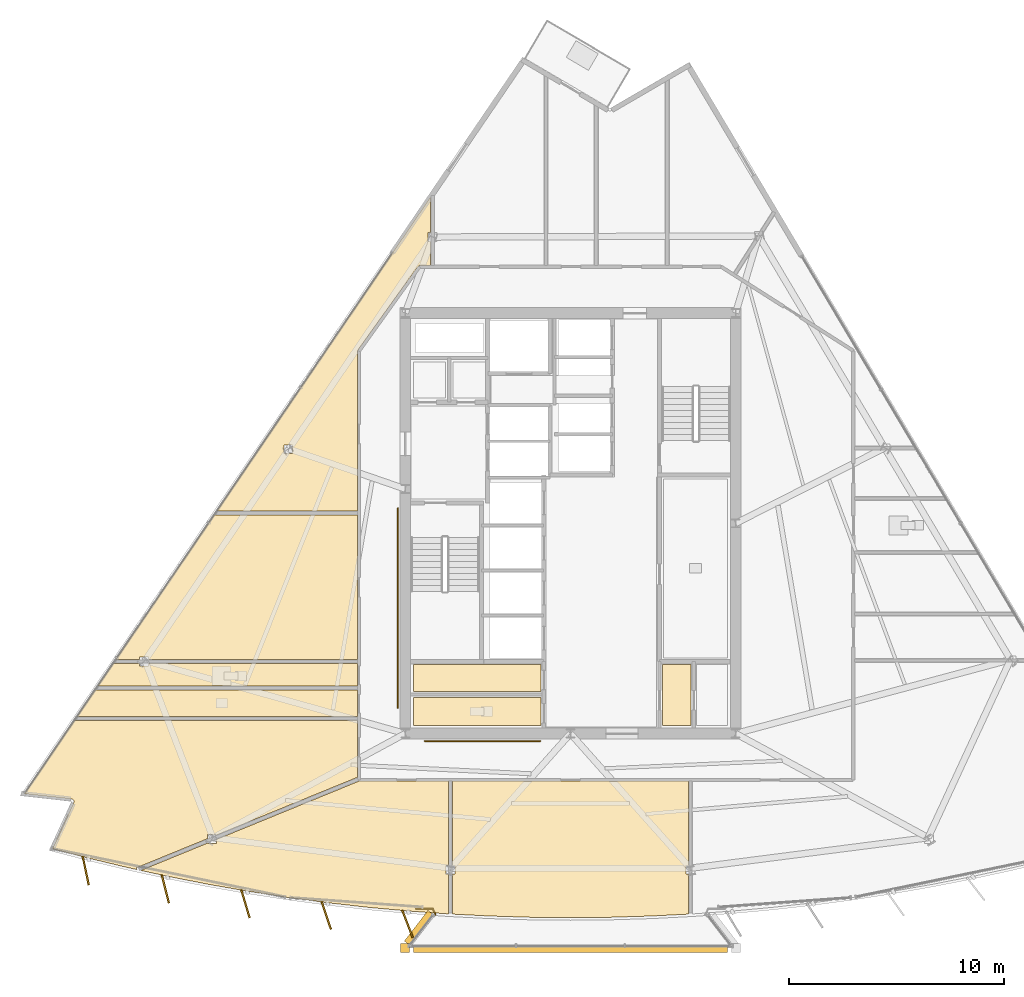
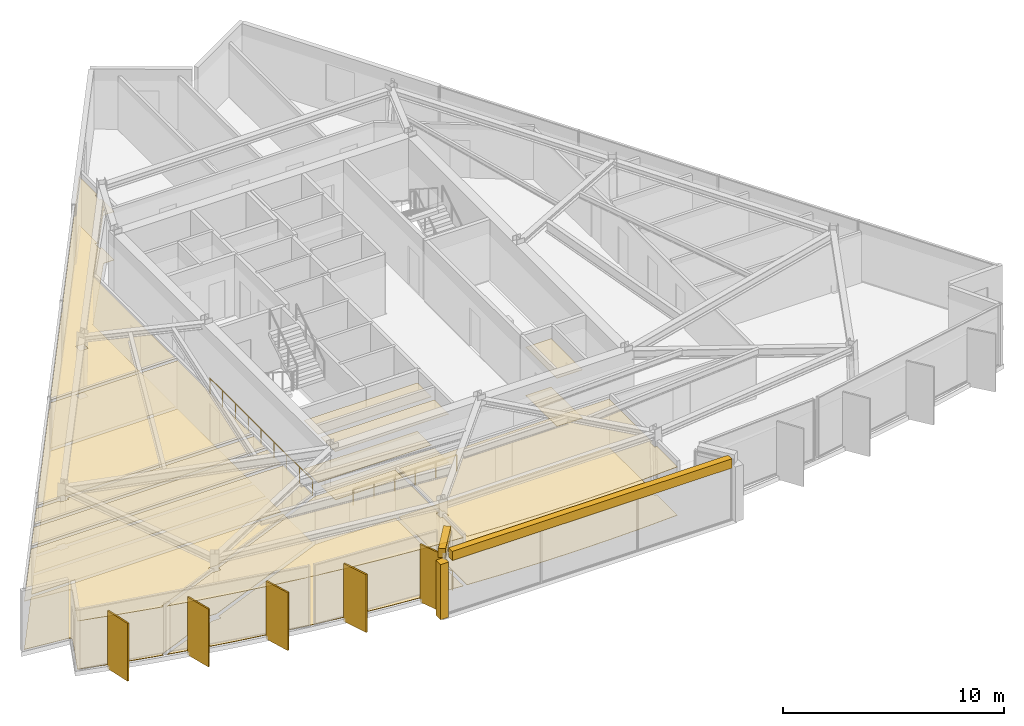
# One storey, part 11 of 14: 23 coverings, 5 shading devices, 3 railings.
"""IFC4 building model written with IfcOpenShell, lengths in metres."""

from ifc_helpers import new_model, si_unit, direction, frame, origin, origin_2d, place, context, subcontext, project, spatial, polyline, rectangle, circle, outline, extrude, material, layer, layer_set, type_object, element, save


model = new_model("IFC4")

# Units and contexts
model_context = context("Model", 3, precision=1e-05, world=origin(), true_north=direction((0.0, 1.0)))
body_context = subcontext(model_context, "Body", "Model", "MODEL_VIEW")
ifc_project = project(units=[si_unit("LENGTHUNIT", "METRE"), si_unit("AREAUNIT", "SQUARE_METRE"), si_unit("VOLUMEUNIT", "CUBIC_METRE"), si_unit("PLANEANGLEUNIT", "RADIAN"), si_unit("MASSUNIT", "GRAM", prefix="KILO")], contexts=[model_context])

# Site, building, storey
site_placement = place(None, origin())
site = spatial("IfcSite", under=ifc_project, at=site_placement, CompositionType="ELEMENT")
building_placement = place(site_placement, origin())
building = spatial("IfcBuilding", under=site, at=building_placement, Name="Savorim Split Tower", CompositionType="ELEMENT")
storey_placement = place(building_placement, frame((0.0, 0.0, 209.10009765625)))
storey = spatial("IfcBuildingStorey", under=building, at=storey_placement, Name="L55", CompositionType="ELEMENT", Elevation=209.10009765625)

# Coverings
ifc_material_1 = material(Name="Mineral Fibre Acoustic Ceiling")
ifc_layer_1 = layer(ifc_material_1, 0.02490234375)
ifc_layer_set_1 = layer_set([ifc_layer_1], Name="COV-CEIL-25")
covering_type_1 = type_object("IfcCoveringType", Name="COV-CEIL-25", PredefinedType="CEILING", material=ifc_layer_set_1)
covering_1_placement = place(storey_placement, frame((0.0, 0.0, 2.669921875)))
element("IfcCovering", 1, at=covering_1_placement, inside=storey, type_object=covering_type_1, Name="L55 Cleaning Store Acoustic Ceiling", PredefinedType="CEILING", context=body_context, shape_type="SweptSolid", body=[
    extrude(outline(polyline([(-7.320068359375, -6.179931640625), (-7.320068359375, -7.43994140625), (-1.3798828125, -7.43994140625), (-1.3798828125, -6.179931640625), (-7.320068359375, -6.179931640625)])), origin(), (0.0, 0.0, 1.0), 0.02490234375),
])
covering_2_placement = place(storey_placement, frame((0.0, 0.0, 2.669921875)))
element("IfcCovering", 2, at=covering_2_placement, inside=storey, type_object=covering_type_1, Name="L55 Public WC Acoustic Ceiling", PredefinedType="CEILING", context=body_context, shape_type="SweptSolid", body=[
    extrude(outline(polyline([(-7.320068359375, -7.719970703125), (-7.320068359375, -9.02001953125), (-1.3798828125, -9.02001953125), (-1.3798828125, -7.719970703125), (-7.320068359375, -7.719970703125)])), origin(), (0.0, 0.0, 1.0), 0.02490234375),
])
covering_3_placement = place(storey_placement, frame((0.0, 0.0, 2.669921875)))
element("IfcCovering", 3, at=covering_3_placement, inside=storey, type_object=covering_type_1, Name="L55 Vending Pantry Acoustic Ceiling", PredefinedType="CEILING", context=body_context, shape_type="SweptSolid", body=[
    extrude(outline(polyline([(4.280029296875, -6.179931640625), (4.280029296875, -9.02001953125), (5.6201171875, -9.02001953125), (5.6201171875, -6.179931640625), (4.280029296875, -6.179931640625)])), origin(), (0.0, 0.0, 1.0), 0.02490234375),
])
covering_4_placement = place(storey_placement, frame((0.0, 0.0, 2.669921875)))
element("IfcCovering", 4, at=covering_4_placement, inside=storey, type_object=covering_type_1, Name="L55 Co-Working Commons Acoustic Ceiling", PredefinedType="CEILING", context=body_context, shape_type="SweptSolid", body=[
    extrude(outline(polyline([(-19.67626953125, -5.8369140625), (-19.67626953125, -5.945556640625), (-9.919921875, -5.945556640625), (-9.919921875, 0.779052734375), (-16.614990234375, 0.779052734375), (-21.189697265625, -5.945556640625), (-20.09423828125, -5.945556640625), (-20.09423828125, -5.8369140625), (-19.67626953125, -5.8369140625)])), origin(), (0.0, 0.0, 1.0), 0.02490234375),
])
covering_5_placement = place(storey_placement, frame((0.0, 0.0, 2.669921875)))
element("IfcCovering", 5, at=covering_5_placement, inside=storey, type_object=covering_type_1, Name="L55 Shared Bathroom Acoustic Ceiling", PredefinedType="CEILING", context=body_context, shape_type="SweptSolid", body=[
    extrude(outline(polyline([(-21.193603515625, -6.135498046875), (-21.288818359375, -6.135498046875), (-21.288818359375, -6.09130859375), (-22.03369140625, -7.186279296875), (-9.919921875, -7.186279296875), (-9.919921875, -6.135498046875), (-19.67626953125, -6.135498046875), (-19.67626953125, -6.243896484375), (-20.09423828125, -6.243896484375), (-20.09423828125, -6.135498046875), (-21.193603515625, -6.135498046875)])), origin(), (0.0, 0.0, 1.0), 0.02490234375),
])
covering_6_placement = place(storey_placement, frame((0.0, 0.0, 2.669921875)))
element("IfcCovering", 6, at=covering_6_placement, inside=storey, type_object=covering_type_1, Name="L55 Shared Kitchen Acoustic Ceiling", PredefinedType="CEILING", context=body_context, shape_type="SweptSolid", body=[
    extrude(outline(polyline([(-9.919921875, -8.6025390625), (-9.919921875, -7.376220703125), (-22.162841796875, -7.376220703125), (-22.997314453125, -8.6025390625), (-9.919921875, -8.6025390625)])), origin(), (0.0, 0.0, 1.0), 0.02490234375),
])
covering_7_placement = place(storey_placement, frame((0.0, 0.0, 2.669921875)))
element("IfcCovering", 7, at=covering_7_placement, inside=storey, type_object=covering_type_1, Name="L55 Co-Working Commons Acoustic Ceiling", PredefinedType="CEILING", context=body_context, shape_type="SweptSolid", body=[
    extrude(outline(polyline([(-23.14306640625, -12.561279296875), (-23.142822265625, -12.572998046875), (-23.143798828125, -12.5849609375), (-23.14599609375, -12.5966796875), (-23.149169921875, -12.608154296875), (-23.15380859375, -12.619384765625), (-24.1416015625, -14.769775390625), (-22.450439453125, -15.2119140625), (-20.61279296875, -15.652587890625), (-20.201416015625, -15.742431640625), (-20.235595703125, -15.658935546875), (-16.9169921875, -14.300048828125), (-16.9169921875, -14.11376953125), (-16.4990234375, -14.11376953125), (-16.4990234375, -14.12890625), (-9.9453125, -11.445556640625), (-9.919921875, -11.435302734375), (-9.919921875, -8.79248046875), (-23.12646484375, -8.79248046875), (-25.447509765625, -12.20458984375), (-23.24951171875, -12.449951171875), (-23.237548828125, -12.451904296875), (-23.22607421875, -12.454833984375), (-23.21484375, -12.458984375), (-23.2041015625, -12.46435546875), (-23.194091796875, -12.470703125), (-23.184814453125, -12.47802734375), (-23.176025390625, -12.486328125), (-23.168212890625, -12.495361328125), (-23.161376953125, -12.5048828125), (-23.155517578125, -12.515380859375), (-23.150634765625, -12.5263671875), (-23.14697265625, -12.53759765625), (-23.144287109375, -12.54931640625), (-23.14306640625, -12.561279296875)])), origin(), (0.0, 0.0, 1.0), 0.02490234375),
])
covering_8_placement = place(storey_placement, frame((0.0, 0.0, 2.669921875)))
element("IfcCovering", 8, at=covering_8_placement, inside=storey, type_object=covering_type_1, Name="L55 Communal Lounge Acoustic Ceiling", PredefinedType="CEILING", context=body_context, shape_type="SweptSolid", body=[
    extrude(outline(polyline([(-13.18359375, -17.03662109375), (-11.310302734375, -17.287109375), (-9.4326171875, -17.49951171875), (-7.55078125, -17.673095703125), (-5.69482421875, -17.806396484375), (-5.69482421875, -15.947021484375), (-5.808837890625, -15.947021484375), (-5.808837890625, -15.539794921875), (-5.69482421875, -15.539794921875), (-5.69482421875, -11.6201171875), (-9.780029296875, -11.6201171875), (-9.793701171875, -11.619384765625), (-9.807373046875, -11.6171875), (-9.820556640625, -11.614013671875), (-9.83349609375, -11.609375), (-9.83837890625, -11.607177734375), (-16.4990234375, -14.334228515625), (-16.4990234375, -14.520751953125), (-16.9169921875, -14.520751953125), (-16.9169921875, -14.50537109375), (-20.02978515625, -15.77978515625), (-18.7666015625, -16.055419921875), (-16.912353515625, -16.420654296875), (-15.051025390625, -16.74755859375), (-13.18359375, -17.03662109375)])), origin(), (0.0, 0.0, 1.0), 0.02490234375),
])
covering_9_placement = place(storey_placement, frame((0.0, 0.0, 2.669921875)))
element("IfcCovering", 9, at=covering_9_placement, inside=storey, type_object=covering_type_1, Name="L55 Co-Working Commons Acoustic Ceiling", PredefinedType="CEILING", context=body_context, shape_type="SweptSolid", body=[
    extrude(outline(polyline([(-1.8896484375, -17.962890625), (0.0, -17.982421875), (1.8896484375, -17.962890625), (3.778564453125, -17.905029296875), (5.5048828125, -17.816650390625), (5.5048828125, -15.947021484375), (5.390869140625, -15.947021484375), (5.390869140625, -15.539794921875), (5.5048828125, -15.539794921875), (5.5048828125, -11.6201171875), (-5.5048828125, -11.6201171875), (-5.5048828125, -15.539794921875), (-5.390869140625, -15.539794921875), (-5.390869140625, -15.947021484375), (-5.5048828125, -15.947021484375), (-5.5048828125, -17.76171875), (-5.5048828125, -17.816650390625), (-3.778564453125, -17.905029296875), (-1.8896484375, -17.962890625)])), origin(), (0.0, 0.0, 1.0), 0.02490234375),
])
covering_10_placement = place(storey_placement, frame((0.0, 0.0, 2.669921875)))
element("IfcCovering", 10, at=covering_10_placement, inside=storey, type_object=covering_type_1, Name="L55 Co-Working Commons Acoustic Ceiling", PredefinedType="CEILING", context=body_context, shape_type="SweptSolid", body=[
    extrude(outline(polyline([(-7.01318359375, 12.41943359375), (-7.0, 12.419921875), (-6.518310546875, 12.419921875), (-6.518310546875, 13.544921875), (-6.63232421875, 13.544921875), (-6.63232421875, 13.951904296875), (-6.518310546875, 13.951904296875), (-6.518310546875, 15.62109375), (-16.48583984375, 0.968994140625), (-9.919921875, 0.968994140625), (-9.919921875, 8.39990234375), (-9.919189453125, 8.41455078125), (-9.9169921875, 8.4287109375), (-9.913330078125, 8.44287109375), (-9.908203125, 8.456298828125), (-9.901611328125, 8.46923828125), (-9.893798828125, 8.4814453125), (-7.11376953125, 12.361572265625), (-7.105712890625, 12.3720703125), (-7.096435546875, 12.381591796875), (-7.086181640625, 12.39013671875), (-7.075439453125, 12.39794921875), (-7.06396484375, 12.404541015625), (-7.052001953125, 12.409912109375), (-7.039306640625, 12.414306640625), (-7.0263671875, 12.41748046875), (-7.01318359375, 12.41943359375)]), holes=[polyline([(-13.36328125, 4.057373046875), (-13.36328125, 3.650390625), (-12.9453125, 3.650390625), (-12.9453125, 4.057373046875), (-13.36328125, 4.057373046875)])]), origin(), (0.0, 0.0, 1.0), 0.02490234375),
])
ifc_material_2 = material(Name="Porcelain Stoneware Flooring", Category="masonry")
ifc_layer_2 = layer(ifc_material_2, 0.02001953125)
ifc_layer_set_2 = layer_set([ifc_layer_2], Name="COV-FLOR-20")
covering_type_2 = type_object("IfcCoveringType", Name="COV-FLOR-20", PredefinedType="FLOORING", material=ifc_layer_set_2)
covering_11_placement = place(storey_placement, origin())
element("IfcCovering", 11, at=covering_11_placement, inside=storey, type_object=covering_type_2, Name="L55 Cleaning Store Porcelain Flooring", PredefinedType="FLOORING", context=body_context, shape_type="SweptSolid", body=[
    extrude(outline(polyline([(-7.320068359375, -6.179931640625), (-7.320068359375, -7.43994140625), (-1.3798828125, -7.43994140625), (-1.3798828125, -6.179931640625), (-7.320068359375, -6.179931640625)])), origin(), (0.0, 0.0, 1.0), 0.02001953125),
])
covering_12_placement = place(storey_placement, origin())
element("IfcCovering", 12, at=covering_12_placement, inside=storey, type_object=covering_type_2, Name="L55 Public WC Porcelain Flooring", PredefinedType="FLOORING", context=body_context, shape_type="SweptSolid", body=[
    extrude(outline(polyline([(-7.320068359375, -7.719970703125), (-7.320068359375, -9.02001953125), (-1.3798828125, -9.02001953125), (-1.3798828125, -7.719970703125), (-7.320068359375, -7.719970703125)])), origin(), (0.0, 0.0, 1.0), 0.02001953125),
])
covering_13_placement = place(storey_placement, origin())
element("IfcCovering", 13, at=covering_13_placement, inside=storey, type_object=covering_type_2, Name="L55 Vending Pantry Porcelain Flooring", PredefinedType="FLOORING", context=body_context, shape_type="SweptSolid", body=[
    extrude(outline(polyline([(4.280029296875, -6.179931640625), (4.280029296875, -9.02001953125), (5.6201171875, -9.02001953125), (5.6201171875, -6.179931640625), (4.280029296875, -6.179931640625)])), origin(), (0.0, 0.0, 1.0), 0.02001953125),
])
covering_14_placement = place(storey_placement, origin())
element("IfcCovering", 14, at=covering_14_placement, inside=storey, type_object=covering_type_2, Name="L55 Co-Working Commons Porcelain Flooring", PredefinedType="FLOORING", context=body_context, shape_type="SweptSolid", body=[
    extrude(outline(polyline([(-19.67626953125, -5.8369140625), (-19.67626953125, -5.945556640625), (-9.919921875, -5.945556640625), (-9.919921875, 0.779052734375), (-16.614990234375, 0.779052734375), (-21.189697265625, -5.945556640625), (-20.09423828125, -5.945556640625), (-20.09423828125, -5.8369140625), (-19.67626953125, -5.8369140625)])), origin(), (0.0, 0.0, 1.0), 0.02001953125),
])
covering_15_placement = place(storey_placement, origin())
element("IfcCovering", 15, at=covering_15_placement, inside=storey, type_object=covering_type_2, Name="L55 Shared Bathroom Porcelain Flooring", PredefinedType="FLOORING", context=body_context, shape_type="SweptSolid", body=[
    extrude(outline(polyline([(-21.193603515625, -6.135498046875), (-21.288818359375, -6.135498046875), (-21.288818359375, -6.09130859375), (-22.03369140625, -7.186279296875), (-9.919921875, -7.186279296875), (-9.919921875, -6.135498046875), (-19.67626953125, -6.135498046875), (-19.67626953125, -6.243896484375), (-20.09423828125, -6.243896484375), (-20.09423828125, -6.135498046875), (-21.193603515625, -6.135498046875)])), origin(), (0.0, 0.0, 1.0), 0.02001953125),
])
covering_16_placement = place(storey_placement, origin())
element("IfcCovering", 16, at=covering_16_placement, inside=storey, type_object=covering_type_2, Name="L55 Shared Kitchen Porcelain Flooring", PredefinedType="FLOORING", context=body_context, shape_type="SweptSolid", body=[
    extrude(outline(polyline([(-9.919921875, -8.6025390625), (-9.919921875, -7.376220703125), (-22.162841796875, -7.376220703125), (-22.997314453125, -8.6025390625), (-9.919921875, -8.6025390625)])), origin(), (0.0, 0.0, 1.0), 0.02001953125),
])
covering_17_placement = place(storey_placement, origin())
element("IfcCovering", 17, at=covering_17_placement, inside=storey, type_object=covering_type_2, Name="L55 Co-Working Commons Porcelain Flooring", PredefinedType="FLOORING", context=body_context, shape_type="SweptSolid", body=[
    extrude(outline(polyline([(-23.14306640625, -12.561279296875), (-23.142822265625, -12.572998046875), (-23.143798828125, -12.5849609375), (-23.14599609375, -12.5966796875), (-23.149169921875, -12.608154296875), (-23.15380859375, -12.619384765625), (-24.1416015625, -14.769775390625), (-22.450439453125, -15.2119140625), (-20.61279296875, -15.652587890625), (-20.201416015625, -15.742431640625), (-20.235595703125, -15.658935546875), (-16.9169921875, -14.300048828125), (-16.9169921875, -14.11376953125), (-16.4990234375, -14.11376953125), (-16.4990234375, -14.12890625), (-9.9453125, -11.445556640625), (-9.919921875, -11.435302734375), (-9.919921875, -8.79248046875), (-23.12646484375, -8.79248046875), (-25.447509765625, -12.20458984375), (-23.24951171875, -12.449951171875), (-23.237548828125, -12.451904296875), (-23.22607421875, -12.454833984375), (-23.21484375, -12.458984375), (-23.2041015625, -12.46435546875), (-23.194091796875, -12.470703125), (-23.184814453125, -12.47802734375), (-23.176025390625, -12.486328125), (-23.168212890625, -12.495361328125), (-23.161376953125, -12.5048828125), (-23.155517578125, -12.515380859375), (-23.150634765625, -12.5263671875), (-23.14697265625, -12.53759765625), (-23.144287109375, -12.54931640625), (-23.14306640625, -12.561279296875)])), origin(), (0.0, 0.0, 1.0), 0.02001953125),
])
covering_18_placement = place(storey_placement, origin())
element("IfcCovering", 18, at=covering_18_placement, inside=storey, type_object=covering_type_2, Name="L55 Communal Lounge Porcelain Flooring", PredefinedType="FLOORING", context=body_context, shape_type="SweptSolid", body=[
    extrude(outline(polyline([(-13.18359375, -17.03662109375), (-11.310302734375, -17.287109375), (-9.4326171875, -17.49951171875), (-7.55078125, -17.673095703125), (-5.69482421875, -17.806396484375), (-5.69482421875, -15.947021484375), (-5.808837890625, -15.947021484375), (-5.808837890625, -15.539794921875), (-5.69482421875, -15.539794921875), (-5.69482421875, -11.6201171875), (-9.780029296875, -11.6201171875), (-9.793701171875, -11.619384765625), (-9.807373046875, -11.6171875), (-9.820556640625, -11.614013671875), (-9.83349609375, -11.609375), (-9.83837890625, -11.607177734375), (-16.4990234375, -14.334228515625), (-16.4990234375, -14.520751953125), (-16.9169921875, -14.520751953125), (-16.9169921875, -14.50537109375), (-20.02978515625, -15.77978515625), (-18.7666015625, -16.055419921875), (-16.912353515625, -16.420654296875), (-15.051025390625, -16.74755859375), (-13.18359375, -17.03662109375)])), origin(), (0.0, 0.0, 1.0), 0.02001953125),
])
covering_19_placement = place(storey_placement, origin())
element("IfcCovering", 19, at=covering_19_placement, inside=storey, type_object=covering_type_2, Name="L55 Co-Working Commons Porcelain Flooring", PredefinedType="FLOORING", context=body_context, shape_type="SweptSolid", body=[
    extrude(outline(polyline([(-1.8896484375, -17.962890625), (0.0, -17.982421875), (1.8896484375, -17.962890625), (3.778564453125, -17.905029296875), (5.5048828125, -17.816650390625), (5.5048828125, -15.947021484375), (5.390869140625, -15.947021484375), (5.390869140625, -15.539794921875), (5.5048828125, -15.539794921875), (5.5048828125, -11.6201171875), (-5.5048828125, -11.6201171875), (-5.5048828125, -15.539794921875), (-5.390869140625, -15.539794921875), (-5.390869140625, -15.947021484375), (-5.5048828125, -15.947021484375), (-5.5048828125, -17.76171875), (-5.5048828125, -17.816650390625), (-3.778564453125, -17.905029296875), (-1.8896484375, -17.962890625)])), origin(), (0.0, 0.0, 1.0), 0.02001953125),
])
covering_20_placement = place(storey_placement, origin())
element("IfcCovering", 20, at=covering_20_placement, inside=storey, type_object=covering_type_2, Name="L55 Co-Working Commons Porcelain Flooring", PredefinedType="FLOORING", context=body_context, shape_type="SweptSolid", body=[
    extrude(outline(polyline([(-7.01318359375, 12.41943359375), (-7.0, 12.419921875), (-6.518310546875, 12.419921875), (-6.518310546875, 13.544921875), (-6.63232421875, 13.544921875), (-6.63232421875, 13.951904296875), (-6.518310546875, 13.951904296875), (-6.518310546875, 15.62109375), (-16.48583984375, 0.968994140625), (-9.919921875, 0.968994140625), (-9.919921875, 8.39990234375), (-9.919189453125, 8.41455078125), (-9.9169921875, 8.4287109375), (-9.913330078125, 8.44287109375), (-9.908203125, 8.456298828125), (-9.901611328125, 8.46923828125), (-9.893798828125, 8.4814453125), (-7.11376953125, 12.361572265625), (-7.105712890625, 12.3720703125), (-7.096435546875, 12.381591796875), (-7.086181640625, 12.39013671875), (-7.075439453125, 12.39794921875), (-7.06396484375, 12.404541015625), (-7.052001953125, 12.409912109375), (-7.039306640625, 12.414306640625), (-7.0263671875, 12.41748046875), (-7.01318359375, 12.41943359375)]), holes=[polyline([(-13.36328125, 4.057373046875), (-13.36328125, 3.650390625), (-12.9453125, 3.650390625), (-12.9453125, 4.057373046875), (-13.36328125, 4.057373046875)])]), origin(), (0.0, 0.0, 1.0), 0.02001953125),
])
ifc_material_3 = material(Name="White Porcelain Architectural Cladding")
ifc_layer_3 = layer(ifc_material_3, 0.139892578125)
ifc_layer_set_3 = layer_set([ifc_layer_3], Name="COV-FRM-WHITE")
covering_type_3 = type_object("IfcCoveringType", Name="COV-FRM-WHITE", PredefinedType="CLADDING", material=ifc_layer_set_3)
covering_21_placement = place(storey_placement, frame((0.0, 0.0, 3.079833984375)))
element("IfcCovering", 21, at=covering_21_placement, inside=storey, type_object=covering_type_3, Name="L55 Cantilevered Lounge White Upper Cornice Band W", PredefinedType="CLADDING", context=body_context, shape_type="SweptSolid", body=[
    extrude(outline(polyline([(-6.642822265625, -17.64697265625), (-7.74267578125, -19.07177734375), (-7.473388671875, -19.279541015625), (-6.37353515625, -17.8544921875), (-6.642822265625, -17.64697265625)])), origin(), (0.0, 0.0, 1.0), 0.510009765625),
])
covering_22_placement = place(storey_placement, frame((0.0, 0.0, 3.079833984375)))
element("IfcCovering", 22, at=covering_22_placement, inside=storey, type_object=covering_type_3, Name="L55 Cantilevered Lounge White Upper Cornice Band F", PredefinedType="CLADDING", context=body_context, shape_type="SweptSolid", body=[
    extrude(outline(polyline([(-7.31494140625, -19.6162109375), (7.31494140625, -19.6162109375), (7.31494140625, -19.276123046875), (-7.31494140625, -19.276123046875), (-7.31494140625, -19.6162109375)])), origin(), (0.0, 0.0, 1.0), 0.510009765625),
])
covering_23_placement = place(storey_placement, frame((0.0, 0.0, 0.010009765625)))
element("IfcCovering", 23, at=covering_23_placement, inside=storey, type_object=covering_type_3, Name="L55 Cantilevered Lounge White Frame Corner Post 1", PredefinedType="CLADDING", context=body_context, shape_type="SweptSolid", body=[
    extrude(outline(polyline([(-7.925048828125, -19.606201171875), (-7.5048828125, -19.606201171875), (-7.5048828125, -19.186279296875), (-7.925048828125, -19.186279296875), (-7.925048828125, -19.606201171875)])), origin(), (0.0, 0.0, 1.0), 3.0498046875),
])

# Railings
ifc_material_4 = material(Name="Galvanised Painted Steel Balustrade", Category="steel")
railing_type_1 = type_object("IfcRailingType", Name="RLG-BAL-1100", PredefinedType="BALUSTRADE", material=ifc_material_4)
railing_1_placement = place(storey_placement, frame((-7.19970703125, -17.568115234375, 0.0)))
element("IfcRailing", 24, at=railing_1_placement, inside=storey, type_object=railing_type_1, Name="L55 Cantilevered Lounge West Edge Closure Guard", PredefinedType="BALUSTRADE", context=body_context, shape_type="SweptSolid", body=[
    extrude(circle(Radius=0.02392578125, at=origin_2d()), frame((0.0, 0.0, 1.076171875), z_axis=(1.0, 0.0, 0.0), x_axis=(0.0, 1.0, 0.0)), (0.0, 0.0, 1.0), 0.780029296875),
    extrude(circle(Radius=0.02392578125, at=origin_2d()), frame((0.780029296875, 0.0, 1.076171875), z_axis=(0.429434058601, -0.90309821687, 0.0), x_axis=(0.90309821687, 0.429434058601, 0.0)), (0.0, 0.0, 1.0), 0.303466796875),
    extrude(circle(Radius=0.02099609375, at=origin_2d()), origin(), (0.0, 0.0, 1.0), 1.052001953125),
    extrude(circle(Radius=0.02099609375, at=origin_2d()), frame((0.780029296875, 0.0, 0.0)), (0.0, 0.0, 1.0), 1.052001953125),
    extrude(circle(Radius=0.02099609375, at=origin_2d()), frame((0.910400390625, -0.274169921875, 0.0)), (0.0, 0.0, 1.0), 1.052001953125),
])
railing_type_2 = type_object("IfcRailingType", Name="RLG-HR-900", PredefinedType="HANDRAIL", material=ifc_material_4)
railing_2_placement = place(storey_placement, frame((-6.800048828125, -9.75, 0.0)))
element("IfcRailing", 25, at=railing_2_placement, inside=storey, type_object=railing_type_2, Name="L55 Corridor South Accessible Handrail", PredefinedType="HANDRAIL", context=body_context, shape_type="SweptSolid", body=[
    extrude(circle(Radius=0.02392578125, at=origin_2d()), frame((0.0, 0.0, 0.8759765625), z_axis=(1.0, 0.0, 0.0), x_axis=(0.0, 1.0, 0.0)), (0.0, 0.0, 1.0), 5.400146484375),
    extrude(circle(Radius=0.02099609375, at=origin_2d()), origin(), (0.0, 0.0, 1.0), 0.851806640625),
    extrude(circle(Radius=0.02099609375, at=origin_2d()), frame((1.080078125, 0.0, 0.0)), (0.0, 0.0, 1.0), 0.851806640625),
    extrude(circle(Radius=0.02099609375, at=origin_2d()), frame((2.16015625, 0.0, 0.0)), (0.0, 0.0, 1.0), 0.851806640625),
    extrude(circle(Radius=0.02099609375, at=origin_2d()), frame((3.239990234375, 0.0, 0.0)), (0.0, 0.0, 1.0), 0.851806640625),
    extrude(circle(Radius=0.02099609375, at=origin_2d()), frame((4.320068359375, 0.0, 0.0)), (0.0, 0.0, 1.0), 0.851806640625),
    extrude(circle(Radius=0.02099609375, at=origin_2d()), frame((5.400146484375, 0.0, 0.0)), (0.0, 0.0, 1.0), 0.851806640625),
])
railing_3_placement = place(storey_placement, frame((-8.050048828125, -8.199951171875, 0.0)))
element("IfcRailing", 26, at=railing_3_placement, inside=storey, type_object=railing_type_2, Name="L55 Corridor West Accessible Handrail", PredefinedType="HANDRAIL", context=body_context, shape_type="SweptSolid", body=[
    extrude(circle(Radius=0.02392578125, at=origin_2d()), frame((0.0, 0.0, 0.8759765625), z_axis=(0.0, 1.0, 0.0), x_axis=(-1.0, 0.0, 0.0)), (0.0, 0.0, 1.0), 9.300048828125),
    extrude(circle(Radius=0.02099609375, at=origin_2d()), origin(), (0.0, 0.0, 1.0), 0.851806640625),
    extrude(circle(Radius=0.02099609375, at=origin_2d()), frame((0.0, 1.16259765625, 0.0)), (0.0, 0.0, 1.0), 0.851806640625),
    extrude(circle(Radius=0.02099609375, at=origin_2d()), frame((0.0, 2.324951171875, 0.0)), (0.0, 0.0, 1.0), 0.851806640625),
    extrude(circle(Radius=0.02099609375, at=origin_2d()), frame((0.0, 3.487548828125, 0.0)), (0.0, 0.0, 1.0), 0.851806640625),
    extrude(circle(Radius=0.02099609375, at=origin_2d()), frame((0.0, 4.64990234375, 0.0)), (0.0, 0.0, 1.0), 0.851806640625),
    extrude(circle(Radius=0.02099609375, at=origin_2d()), frame((0.0, 5.8125, 0.0)), (0.0, 0.0, 1.0), 0.851806640625),
    extrude(circle(Radius=0.02099609375, at=origin_2d()), frame((0.0, 6.97509765625, 0.0)), (0.0, 0.0, 1.0), 0.851806640625),
    extrude(circle(Radius=0.02099609375, at=origin_2d()), frame((0.0, 8.137451171875, 0.0)), (0.0, 0.0, 1.0), 0.851806640625),
    extrude(circle(Radius=0.02099609375, at=origin_2d()), frame((0.0, 9.300048828125, 0.0)), (0.0, 0.0, 1.0), 0.851806640625),
])

# Shading devices
ifc_material_5 = material(Name="Terracotta Ceramic-Coated Aluminium Fin", Category="masonry")
shading_device_type = type_object("IfcShadingDeviceType", Name="SHD-FIN-1360", PredefinedType="USERDEFINED", material=ifc_material_5)
for number, where, z_axis, x_axis, name in (
    (27, (-22.595458984375, -15.7900390625, -0.2001953125), (0.0, 0.0, 1.0), (0.206721626106, -0.978399800337, 0.0), "L55 Sawtooth Shading Fin 01"),
    (28, (-18.8876953125, -16.63916015625, -0.2001953125), (0.0, 0.0, 1.0), (0.246581250663, -0.969122121727, 0.0), "L55 Sawtooth Shading Fin 02"),
    (29, (-15.148193359375, -17.335693359375, -0.2001953125), (0.0, 0.0, 1.0), (0.286026212504, -0.958221793616, 0.0), "L55 Sawtooth Shading Fin 03"),
    (30, (-11.38330078125, -17.878662109375, -0.2001953125), (0.0, 0.0, 1.0), (0.324993810493, -0.945716143005, 0.0), "L55 Sawtooth Shading Fin 04"),
    (31, (-7.599609375, -18.26708984375, -0.2001953125), (0.0, 0.0, 1.0), (0.363415461732, -0.931627179817, 0.0), "L55 Sawtooth Shading Fin 05"),
):
    element("IfcShadingDevice", number, at=place(storey_placement, frame(where, z_axis=z_axis, x_axis=x_axis)), inside=storey, type_object=shading_device_type, Name=name, ObjectType="FIN", PredefinedType="USERDEFINED", context=body_context, shape_type="SweptSolid", body=[
        extrude(rectangle(XDim=1.360107421875, YDim=0.080078125, at=origin_2d()), origin(), (0.0, 0.0, 1.0), 3.199951171875),
    ])

save(model, "model.ifc")
